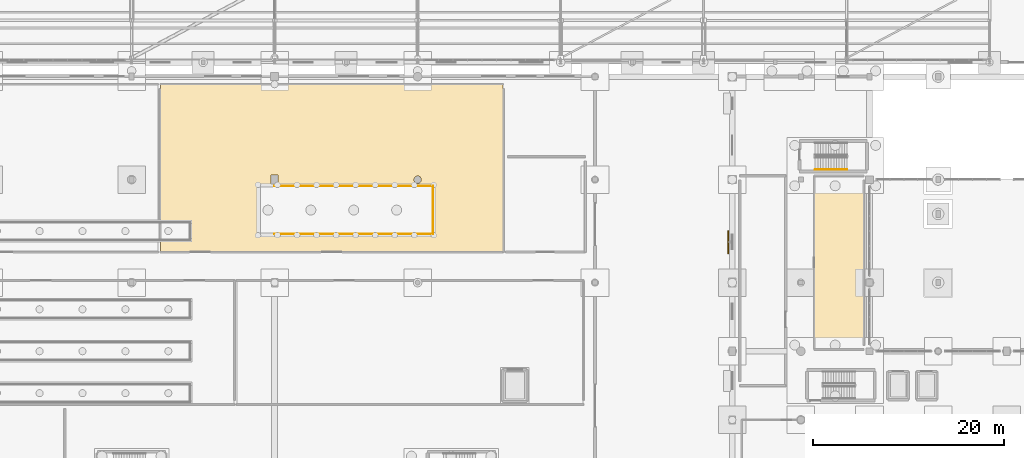
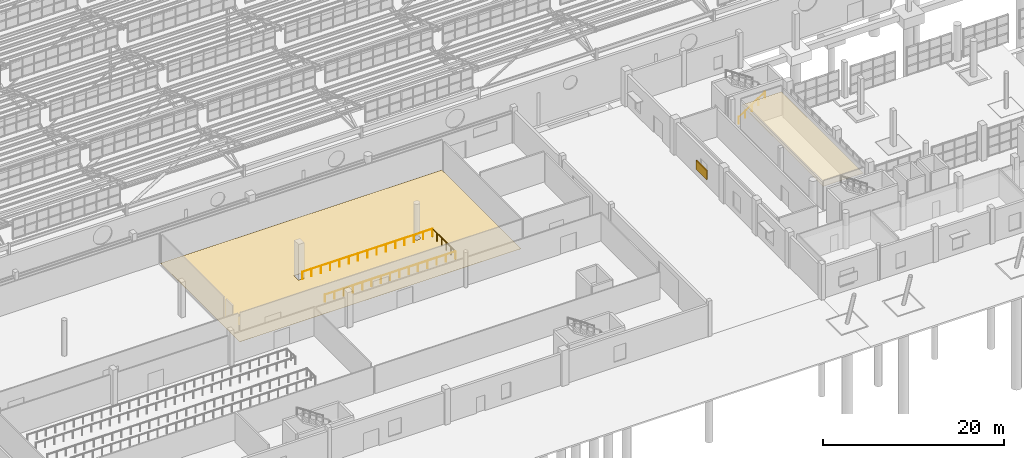
# One storey, part 275 of 285: 4 railings, 2 coverings, 1 shading device.
"""IFC4 building model written with IfcOpenShell, lengths in metres."""

from ifc_helpers import new_model, si_unit, direction, frame, origin, origin_2d, place, context, subcontext, project, spatial, polyline, rectangle, circle, outline, extrude, material, layer, layer_set, type_object, element, save


model = new_model("IFC4")

# Units and contexts
model_context = context("Model", 3, precision=1e-05, world=origin(), true_north=direction((0.0, 1.0)))
body_context = subcontext(model_context, "Body", "Model", "MODEL_VIEW")
ifc_project = project(units=[si_unit("LENGTHUNIT", "METRE"), si_unit("AREAUNIT", "SQUARE_METRE"), si_unit("VOLUMEUNIT", "CUBIC_METRE"), si_unit("PLANEANGLEUNIT", "RADIAN"), si_unit("MASSUNIT", "GRAM", prefix="KILO")], contexts=[model_context])

# Site, building, storey
site_placement = place(None, origin())
site = spatial("IfcSite", under=ifc_project, at=site_placement, CompositionType="ELEMENT")
building_placement = place(site_placement, origin())
building = spatial("IfcBuilding", under=site, at=building_placement, Name="Solanera Park Tramway Depot", CompositionType="ELEMENT")
storey_placement = place(building_placement, origin())
storey = spatial("IfcBuildingStorey", under=building, at=storey_placement, Name="L00", CompositionType="ELEMENT", Elevation=0.0)

# Coverings
ifc_material_1 = material(Name="Acoustic perforated plasterboard and mineral-fibre ceiling")
ifc_layer_1 = layer(ifc_material_1, 0.02001953125)
ifc_layer_set_1 = layer_set([ifc_layer_1], Name="Acoustic perforated plasterboard and mineral-fibre ceiling")
covering_type_1 = type_object("IfcCoveringType", Name="Acoustic Mineral-Fibre Ceiling 20", PredefinedType="CEILING", material=ifc_layer_set_1)
covering_1_placement = place(storey_placement, frame((0.0, 0.0, 3.14990234375)))
element("IfcCovering", 1, at=covering_1_placement, inside=storey, type_object=covering_type_1, Name="Crew Bicycle Hub and Changing Lockers Acoustic Ceiling", PredefinedType="CEILING", context=body_context, shape_type="SweptSolid", body=[
    extrude(outline(polyline([(121.760009765625, 25.43994140625), (116.639892578125, 25.43994140625), (116.639892578125, 43.56005859375), (121.760009765625, 43.56005859375), (121.760009765625, 25.43994140625)])), origin(), (0.0, 0.0, 1.0), 0.02001953125),
])
ifc_material_2 = material(Name="Heavy-duty slip-resistant epoxy resin screed")
ifc_layer_2 = layer(ifc_material_2, 0.011962890625)
ifc_layer_set_2 = layer_set([ifc_layer_2], Name="Heavy-duty slip-resistant epoxy resin screed")
covering_type_2 = type_object("IfcCoveringType", Name="Epoxy Industrial Workshop Flooring 12", PredefinedType="FLOORING", material=ifc_layer_set_2)
covering_2_placement = place(storey_placement, origin())
element("IfcCovering", 2, at=covering_2_placement, inside=storey, type_object=covering_type_2, Name="Underfloor Wheel Lathe Hall Floor Finish", PredefinedType="FLOORING", context=body_context, shape_type="SweptSolid", body=[
    extrude(outline(polyline([(48.0400390625, 53.159912109375), (83.9599609375, 53.159912109375), (83.9599609375, 35.639892578125), (48.0400390625, 35.639892578125), (48.0400390625, 53.159912109375)]), holes=[polyline([(60.3798828125, 43.679931640625), (59.6201171875, 43.679931640625), (59.6201171875, 42.719970703125), (60.3798828125, 42.719970703125), (60.3798828125, 43.679931640625)]), polyline([(75.372802734375, 43.274169921875), (75.35107421875, 43.345458984375), (75.31591796875, 43.4111328125), (75.268798828125, 43.46875), (75.211181640625, 43.51611328125), (75.1455078125, 43.551025390625), (75.07421875, 43.57275390625), (75.0, 43.580078125), (74.92578125, 43.57275390625), (74.8544921875, 43.551025390625), (74.788818359375, 43.51611328125), (74.731201171875, 43.46875), (74.68408203125, 43.4111328125), (74.64892578125, 43.345458984375), (74.627197265625, 43.274169921875), (74.6201171875, 43.199951171875), (74.627197265625, 43.1259765625), (74.64892578125, 43.0546875), (74.68408203125, 42.989013671875), (74.731201171875, 42.931396484375), (74.788818359375, 42.884033203125), (74.8544921875, 42.848876953125), (74.92578125, 42.827392578125), (75.0, 42.820068359375), (75.07421875, 42.827392578125), (75.1455078125, 42.848876953125), (75.211181640625, 42.884033203125), (75.268798828125, 42.931396484375), (75.31591796875, 42.989013671875), (75.35107421875, 43.0546875), (75.372802734375, 43.1259765625), (75.3798828125, 43.199951171875), (75.372802734375, 43.274169921875)])]), origin(), (0.0, 0.0, 1.0), 0.011962890625),
])

# Railings
ifc_material_3 = material(Name="Steel AS/NZS 1163 Grade C350L0", Category="steel")
ifc_layer_3 = layer(ifc_material_3, 0.06005859375)
ifc_layer_set_3 = layer_set([ifc_layer_3], Name="Steel AS/NZS 1163 Grade C350L0")
railing_type_1 = type_object("IfcRailingType", Name="Industrial Safety Edge Guardrail 1120", PredefinedType="GUARDRAIL", material=ifc_layer_set_3)
railing_1_placement = place(storey_placement, frame((60.0, 37.47998046875, 0.0)))
element("IfcRailing", 3, at=railing_1_placement, inside=storey, type_object=railing_type_1, Name="Pit Safety Guardrail PIT-WL #072", PredefinedType="GUARDRAIL", context=body_context, shape_type="SweptSolid", body=[
    extrude(circle(Radius=0.02392578125, at=origin_2d()), frame((0.0, 0.0, 1.09619140625), z_axis=(1.0, 0.0, 0.0), x_axis=(0.0, 1.0, 0.0)), (0.0, 0.0, 1.0), 16.6201171875),
    extrude(circle(Radius=0.02099609375, at=origin_2d()), origin(), (0.0, 0.0, 1.0), 1.072021484375),
    extrude(circle(Radius=0.02099609375, at=origin_2d()), frame((1.187255859375, 0.0, 0.0)), (0.0, 0.0, 1.0), 1.072021484375),
    extrude(circle(Radius=0.02099609375, at=origin_2d()), frame((2.374267578125, 0.0, 0.0)), (0.0, 0.0, 1.0), 1.072021484375),
    extrude(circle(Radius=0.02099609375, at=origin_2d()), frame((3.5615234375, 0.0, 0.0)), (0.0, 0.0, 1.0), 1.072021484375),
    extrude(circle(Radius=0.02099609375, at=origin_2d()), frame((4.74853515625, 0.0, 0.0)), (0.0, 0.0, 1.0), 1.072021484375),
    extrude(circle(Radius=0.02099609375, at=origin_2d()), frame((5.935791015625, 0.0, 0.0)), (0.0, 0.0, 1.0), 1.072021484375),
    extrude(circle(Radius=0.02099609375, at=origin_2d()), frame((7.122802734375, 0.0, 0.0)), (0.0, 0.0, 1.0), 1.072021484375),
    extrude(circle(Radius=0.02099609375, at=origin_2d()), frame((8.31005859375, 0.0, 0.0)), (0.0, 0.0, 1.0), 1.072021484375),
    extrude(circle(Radius=0.02099609375, at=origin_2d()), frame((9.497314453125, 0.0, 0.0)), (0.0, 0.0, 1.0), 1.072021484375),
    extrude(circle(Radius=0.02099609375, at=origin_2d()), frame((10.684326171875, 0.0, 0.0)), (0.0, 0.0, 1.0), 1.072021484375),
    extrude(circle(Radius=0.02099609375, at=origin_2d()), frame((11.87158203125, 0.0, 0.0)), (0.0, 0.0, 1.0), 1.072021484375),
    extrude(circle(Radius=0.02099609375, at=origin_2d()), frame((13.05859375, 0.0, 0.0)), (0.0, 0.0, 1.0), 1.072021484375),
    extrude(circle(Radius=0.02099609375, at=origin_2d()), frame((14.245849609375, 0.0, 0.0)), (0.0, 0.0, 1.0), 1.072021484375),
    extrude(circle(Radius=0.02099609375, at=origin_2d()), frame((15.432861328125, 0.0, 0.0)), (0.0, 0.0, 1.0), 1.072021484375),
    extrude(circle(Radius=0.02099609375, at=origin_2d()), frame((16.6201171875, 0.0, 0.0)), (0.0, 0.0, 1.0), 1.072021484375),
])
railing_2_placement = place(storey_placement, frame((76.6201171875, 37.47998046875, 0.0)))
element("IfcRailing", 4, at=railing_2_placement, inside=storey, type_object=railing_type_1, Name="Pit Safety Guardrail PIT-WL #073", PredefinedType="GUARDRAIL", context=body_context, shape_type="SweptSolid", body=[
    extrude(circle(Radius=0.02392578125, at=origin_2d()), frame((0.0, 0.0, 1.09619140625), z_axis=(0.0, 1.0, 0.0), x_axis=(-1.0, 0.0, 0.0)), (0.0, 0.0, 1.0), 5.0400390625),
    extrude(circle(Radius=0.02099609375, at=origin_2d()), origin(), (0.0, 0.0, 1.0), 1.072021484375),
    extrude(circle(Radius=0.02099609375, at=origin_2d()), frame((0.0, 1.008056640625, 0.0)), (0.0, 0.0, 1.0), 1.072021484375),
    extrude(circle(Radius=0.02099609375, at=origin_2d()), frame((0.0, 2.01611328125, 0.0)), (0.0, 0.0, 1.0), 1.072021484375),
    extrude(circle(Radius=0.02099609375, at=origin_2d()), frame((0.0, 3.02392578125, 0.0)), (0.0, 0.0, 1.0), 1.072021484375),
    extrude(circle(Radius=0.02099609375, at=origin_2d()), frame((0.0, 4.031982421875, 0.0)), (0.0, 0.0, 1.0), 1.072021484375),
    extrude(circle(Radius=0.02099609375, at=origin_2d()), frame((0.0, 5.0400390625, 0.0)), (0.0, 0.0, 1.0), 1.072021484375),
])
railing_3_placement = place(storey_placement, frame((76.6201171875, 42.52001953125, 0.0)))
element("IfcRailing", 5, at=railing_3_placement, inside=storey, type_object=railing_type_1, Name="Pit Safety Guardrail PIT-WL #074", PredefinedType="GUARDRAIL", context=body_context, shape_type="SweptSolid", body=[
    extrude(circle(Radius=0.02392578125, at=origin_2d()), frame((0.0, 0.0, 1.09619140625), z_axis=(-1.0, 0.0, 0.0), x_axis=(0.0, -1.0, 0.0)), (0.0, 0.0, 1.0), 16.6201171875),
    extrude(circle(Radius=0.02099609375, at=origin_2d()), origin(), (0.0, 0.0, 1.0), 1.072021484375),
    extrude(circle(Radius=0.02099609375, at=origin_2d()), frame((-1.187255859375, 0.0, 0.0)), (0.0, 0.0, 1.0), 1.072021484375),
    extrude(circle(Radius=0.02099609375, at=origin_2d()), frame((-2.374267578125, 0.0, 0.0)), (0.0, 0.0, 1.0), 1.072021484375),
    extrude(circle(Radius=0.02099609375, at=origin_2d()), frame((-3.5615234375, 0.0, 0.0)), (0.0, 0.0, 1.0), 1.072021484375),
    extrude(circle(Radius=0.02099609375, at=origin_2d()), frame((-4.74853515625, 0.0, 0.0)), (0.0, 0.0, 1.0), 1.072021484375),
    extrude(circle(Radius=0.02099609375, at=origin_2d()), frame((-5.935791015625, 0.0, 0.0)), (0.0, 0.0, 1.0), 1.072021484375),
    extrude(circle(Radius=0.02099609375, at=origin_2d()), frame((-7.122802734375, 0.0, 0.0)), (0.0, 0.0, 1.0), 1.072021484375),
    extrude(circle(Radius=0.02099609375, at=origin_2d()), frame((-8.31005859375, 0.0, 0.0)), (0.0, 0.0, 1.0), 1.072021484375),
    extrude(circle(Radius=0.02099609375, at=origin_2d()), frame((-9.497314453125, 0.0, 0.0)), (0.0, 0.0, 1.0), 1.072021484375),
    extrude(circle(Radius=0.02099609375, at=origin_2d()), frame((-10.684326171875, 0.0, 0.0)), (0.0, 0.0, 1.0), 1.072021484375),
    extrude(circle(Radius=0.02099609375, at=origin_2d()), frame((-11.87158203125, 0.0, 0.0)), (0.0, 0.0, 1.0), 1.072021484375),
    extrude(circle(Radius=0.02099609375, at=origin_2d()), frame((-13.05859375, 0.0, 0.0)), (0.0, 0.0, 1.0), 1.072021484375),
    extrude(circle(Radius=0.02099609375, at=origin_2d()), frame((-14.245849609375, 0.0, 0.0)), (0.0, 0.0, 1.0), 1.072021484375),
    extrude(circle(Radius=0.02099609375, at=origin_2d()), frame((-15.432861328125, 0.0, 0.0)), (0.0, 0.0, 1.0), 1.072021484375),
    extrude(circle(Radius=0.02099609375, at=origin_2d()), frame((-16.6201171875, 0.0, 0.0)), (0.0, 0.0, 1.0), 1.072021484375),
])
ifc_material_4 = material(Name="Brushed stainless steel 316 handrail", Category="steel")
ifc_layer_4 = layer(ifc_material_4, 0.050048828125)
ifc_layer_set_4 = layer_set([ifc_layer_4], Name="Brushed stainless steel 316 handrail")
railing_type_2 = type_object("IfcRailingType", Name="Stair Pitch Tubular Handrail 920", PredefinedType="HANDRAIL", material=ifc_layer_set_4)
railing_4_placement = place(storey_placement, frame((116.699951171875, 44.25, 0.1845703125)))
element("IfcRailing", 6, at=railing_4_placement, inside=storey, type_object=railing_type_2, Name="ST-07 L00 Pitch Handrail 1", PredefinedType="HANDRAIL", context=body_context, shape_type="SweptSolid", body=[
    extrude(circle(Radius=0.02392578125, at=origin_2d()), frame((0.0, 0.0, 0.89599609375), z_axis=(0.834876476806, 0.0, 0.550437342915), x_axis=(0.0, 1.0, 0.0)), (0.0, 0.0, 1.0), 4.024658203125),
    extrude(circle(Radius=0.02099609375, at=origin_2d()), origin(), (0.0, 0.0, 1.0), 0.871826171875),
    extrude(circle(Radius=0.02099609375, at=origin_2d()), frame((0.840087890625, 0.0, 0.5537109375)), (0.0, 0.0, 1.0), 0.871826171875),
    extrude(circle(Radius=0.02099609375, at=origin_2d()), frame((1.68017578125, 0.0, 1.107666015625)), (0.0, 0.0, 1.0), 0.871826171875),
    extrude(circle(Radius=0.02099609375, at=origin_2d()), frame((2.52001953125, 0.0, 1.66162109375)), (0.0, 0.0, 1.0), 0.871826171875),
    extrude(circle(Radius=0.02099609375, at=origin_2d()), frame((3.360107421875, 0.0, 2.21533203125)), (0.0, 0.0, 1.0), 0.871826171875),
])

# Shading device
ifc_material_5 = material(Name="Powder-coated aluminium aerofoil louvre", Category="aluminium")
shading_device_type = type_object("IfcShadingDeviceType", Name="Timber-Look Aluminium Jalousie Louvre 2400x1200", PredefinedType="JALOUSIE", material=ifc_material_5)
shading_device_placement = place(storey_placement, frame((107.60009765625, 36.64990234375, 1.169921875), z_axis=(0.0, 0.0, 1.0), x_axis=(0.0, -1.0, 0.0)))
element("IfcShadingDevice", 7, at=shading_device_placement, inside=storey, type_object=shading_device_type, Name="Jalousie Louvre Screen #022", PredefinedType="JALOUSIE", context=body_context, shape_type="SweptSolid", body=[
    extrude(rectangle(XDim=2.39990234375, YDim=0.1201171875, at=origin_2d()), origin(), (0.0, 0.0, 1.0), 1.199951171875),
])

save(model, "model.ifc")
